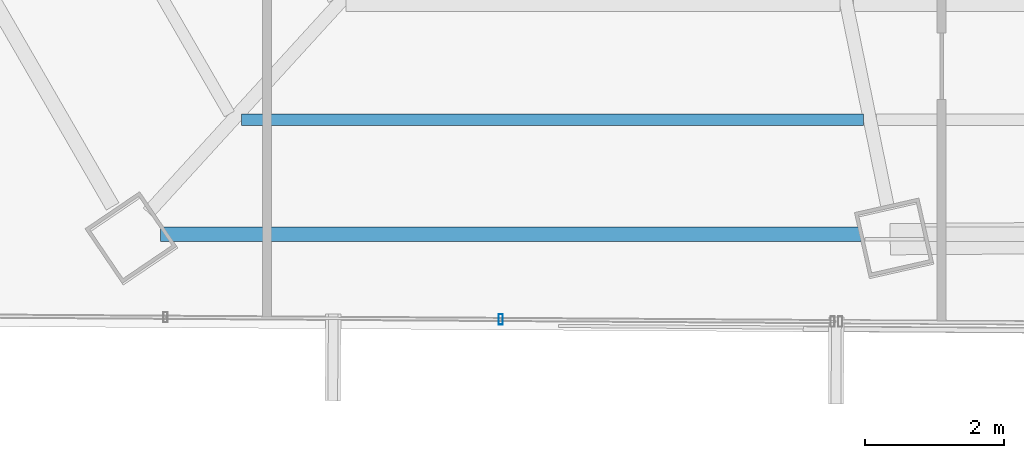
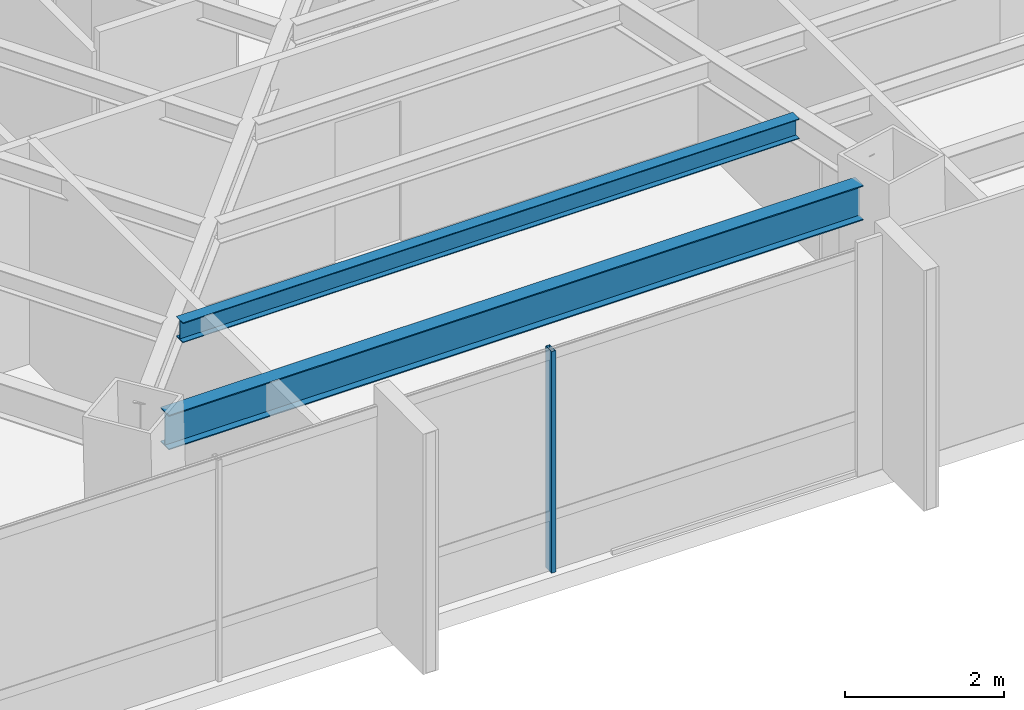
# One storey, part 4 of 41: 2 beams, 1 member, 1 element without a shape of its own.
"""IFC4 building model written with IfcOpenShell, lengths in metres."""

from ifc_helpers import new_model, si_unit, direction, frame, origin, origin_2d, place, context, subcontext, project, spatial, hollow_rectangle, i_section, extrude, source, transform, mapped, material, material_profile, profile_set, type_object, type_shapes, element, aggregate, save


model = new_model("IFC4")

# Units and contexts
model_context = context("Model", 3, precision=1e-05, world=origin(), true_north=direction((0.0, 1.0)))
body_context = subcontext(model_context, "Body", "Model", "MODEL_VIEW")
ifc_project = project(units=[si_unit("LENGTHUNIT", "METRE"), si_unit("AREAUNIT", "SQUARE_METRE"), si_unit("VOLUMEUNIT", "CUBIC_METRE"), si_unit("PLANEANGLEUNIT", "RADIAN"), si_unit("MASSUNIT", "GRAM", prefix="KILO")], contexts=[model_context])

# Site, building, storey
site_placement = place(None, origin())
site = spatial("IfcSite", under=ifc_project, at=site_placement, CompositionType="ELEMENT")
building_placement = place(site_placement, origin())
building = spatial("IfcBuilding", under=site, at=building_placement, Name="Caelisora Broadcast Tower", CompositionType="ELEMENT")
storey_placement = place(building_placement, frame((0.0, 0.0, 162.14990234375)))
storey = spatial("IfcBuildingStorey", under=building, at=storey_placement, Name="L42", CompositionType="ELEMENT", Elevation=162.14990234375)

# Beams
ifc_material_1 = material(Name="Steel Grade 350 (AS/NZS 3679.1)", Category="steel")
ifc_material_profile_1 = material_profile(ifc_material_1, i_section(OverallWidth=0.208984375, OverallDepth=0.532958984375, WebThickness=0.01025390625, FlangeThickness=0.015625, at=origin_2d()), Name="Steel Grade 350 (AS/NZS 3679.1)")
ifc_profile_set_1 = profile_set([ifc_material_profile_1], Name="Steel Grade 350 (AS/NZS 3679.1)")
beam_type_1 = type_object("IfcBeamType", Name="PG05", PredefinedType="BEAM", material=ifc_profile_set_1)
shared_shape_1 = source(origin(), body_context, "Body", "SweptSolid", [
    extrude(i_section(OverallWidth=0.208984375, OverallDepth=0.532958984375, WebThickness=0.01025390625, FlangeThickness=0.015625, at=origin_2d()), origin(), (0.0, 0.0, 1.0), 10.07568359375),
])
type_shapes(beam_type_1, [shared_shape_1])
beam_1_placement = place(storey_placement, frame((21.96630859375, 7.537353515625, 3.133544921875), z_axis=(1.0, 0.0, 0.0), x_axis=(0.0, 1.0, 0.0)))
element("IfcBeam", 1, at=beam_1_placement, inside=storey, type_object=beam_type_1, Name="L42 beam PG05", PredefinedType="BEAM", context=body_context, shape_type="MappedRepresentation", body=[
    mapped(shared_shape_1, transform((0.0, 0.0, 0.0), scale=1.0)),
])
ifc_material_profile_2 = material_profile(ifc_material_1, i_section(OverallWidth=0.166015625, OverallDepth=0.30712890625, WebThickness=0.006591796875, FlangeThickness=0.01171875, at=origin_2d()), Name="Steel Grade 350 (AS/NZS 3679.1)")
ifc_profile_set_2 = profile_set([ifc_material_profile_2], Name="Steel Grade 350 (AS/NZS 3679.1)")
beam_type_2 = type_object("IfcBeamType", Name="SB03", PredefinedType="JOIST", material=ifc_profile_set_2)
shared_shape_2 = source(origin(), body_context, "Body", "SweptSolid", [
    extrude(i_section(OverallWidth=0.166015625, OverallDepth=0.30712890625, WebThickness=0.006591796875, FlangeThickness=0.01171875, at=origin_2d()), origin(), (0.0, 0.0, 1.0), 8.9423828125),
])
type_shapes(beam_type_2, [shared_shape_2])
beam_2_placement = place(storey_placement, frame((23.131591796875, 9.18115234375, 3.24658203125), z_axis=(1.0, 0.0, 0.0), x_axis=(0.0, 1.0, 0.0)))
element("IfcBeam", 2, at=beam_2_placement, inside=storey, type_object=beam_type_2, Name="L42 beam SB03", PredefinedType="JOIST", context=body_context, shape_type="MappedRepresentation", body=[
    mapped(shared_shape_2, transform((0.0, 0.0, 0.0), scale=1.0)),
])

# Curtain wall, member
ifc_material_2 = material(Name="Unitised Aluminium and Low-E Glass Curtain Wall", Category="glass")
curtain_wall_type = type_object("IfcCurtainWallType", Name="CW-Z3", PredefinedType="NOTDEFINED", material=ifc_material_2)
curtain_wall_placement = place(storey_placement, origin())
curtain_wall = element("IfcCurtainWall", 3, at=curtain_wall_placement, inside=storey, type_object=curtain_wall_type, Name="L42 curtain wall CW-Z3", PredefinedType="NOTDEFINED")
ifc_material_3 = material(Name="Aluminium 6063-T6 Anodised Terracotta Bronze", Category="aluminium")
ifc_material_profile_3 = material_profile(ifc_material_3, hollow_rectangle(XDim=0.06005859375, YDim=0.14990234375, WallThickness=0.00341796875, at=origin_2d()), Name="Aluminium 6063-T6 Anodised Terracotta Bronze")
ifc_profile_set_3 = profile_set([ifc_material_profile_3], Name="Aluminium 6063-T6 Anodised Terracotta Bronze")
member_type = type_object("IfcMemberType", Name="CWM-03", PredefinedType="MULLION", material=ifc_profile_set_3)
shared_shape_3 = source(origin(), body_context, "Body", "SweptSolid", [
    extrude(hollow_rectangle(XDim=0.06005859375, YDim=0.14990234375, WallThickness=0.00341796875, at=origin_2d()), origin(), (0.0, 0.0, 1.0), 3.400146484375),
])
type_shapes(member_type, [shared_shape_3])
member_placement = place(storey_placement, frame((26.8583984375, 6.31103515625, 0.0), z_axis=(0.0, 0.0, 1.0), x_axis=(1.0, 0.0, 0.0)))
member = element("IfcMember", 4, at=member_placement, type_object=member_type, Name="L42-CW-B07 mullion #1", PredefinedType="MULLION", context=body_context, shape_type="MappedRepresentation", body=[
    mapped(shared_shape_3, transform((0.0, 0.0, 0.0), scale=1.0)),
])
aggregate(curtain_wall, [member])

save(model, "model.ifc")
